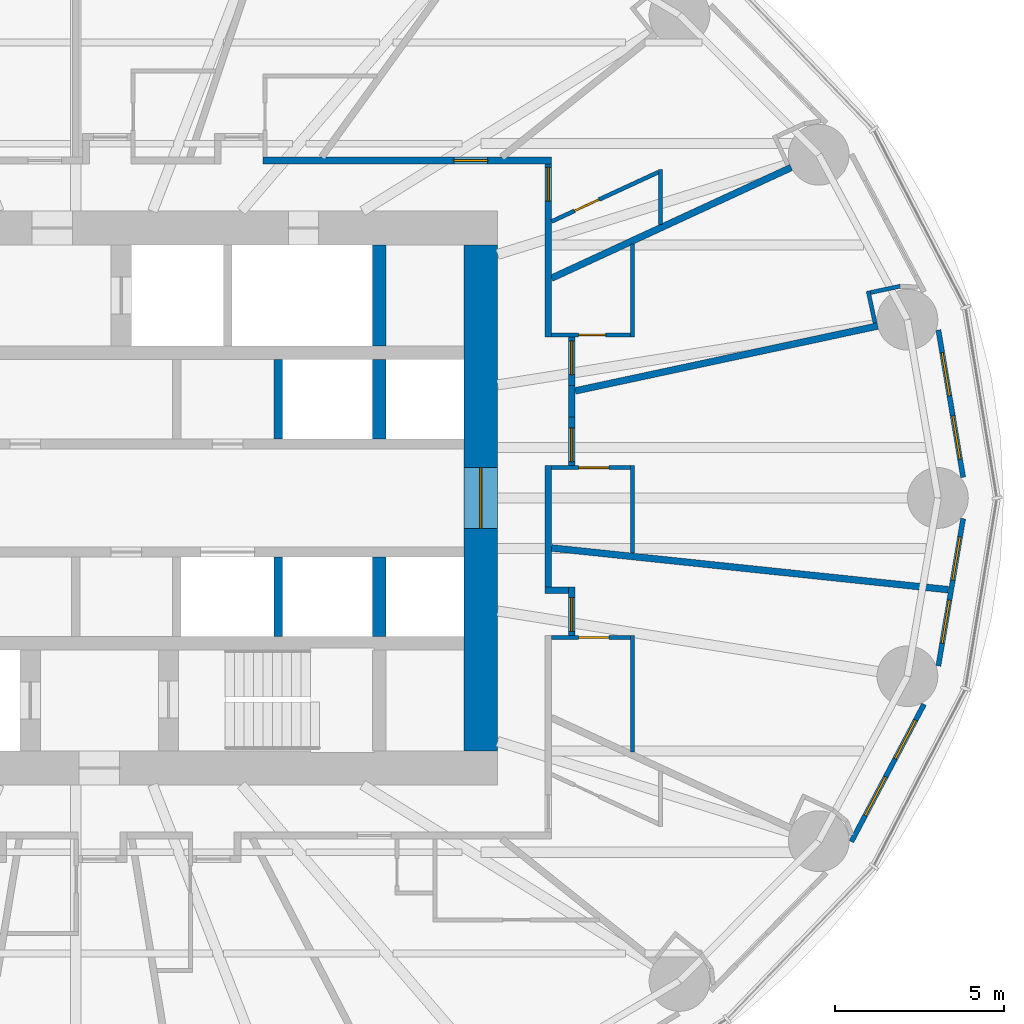
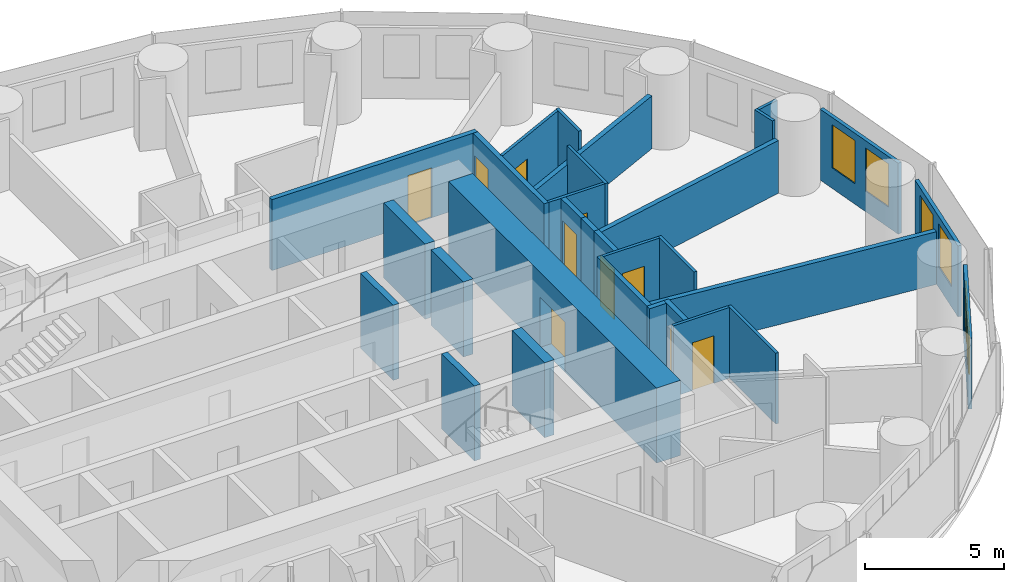
# One storey, part 10 of 14: 30 walls, 10 doors, 6 windows, 16 openings.
"""IFC4 building model written with IfcOpenShell, lengths in metres."""

from ifc_helpers import new_model, si_unit, direction, frame, frame_2d, origin, place, context, subcontext, project, spatial, rectangle, extrude, material, layer, layer_set, type_object, element, fill, save


model = new_model("IFC4")

# Units and contexts
model_context = context("Model", 3, precision=1e-05, world=origin(), true_north=direction((0.0, 1.0)))
body_context = subcontext(model_context, "Body", "Model", "MODEL_VIEW")
ifc_project = project(units=[si_unit("LENGTHUNIT", "METRE"), si_unit("AREAUNIT", "SQUARE_METRE"), si_unit("VOLUMEUNIT", "CUBIC_METRE"), si_unit("PLANEANGLEUNIT", "RADIAN"), si_unit("MASSUNIT", "GRAM", prefix="KILO")], contexts=[model_context])

# Site, building, storey
site_placement = place(None, origin())
site = spatial("IfcSite", under=ifc_project, at=site_placement, CompositionType="ELEMENT")
building_placement = place(site_placement, origin())
building = spatial("IfcBuilding", under=site, at=building_placement, Name="Hankou Lantern Tower", CompositionType="ELEMENT")
storey_placement = place(building_placement, frame((0.0, 0.0, 29.39990234375)))
storey = spatial("IfcBuildingStorey", under=building, at=storey_placement, Name="L05", CompositionType="ELEMENT", Elevation=29.39990234375)

# Wall, opening, door
ifc_material_1 = material(Name="Concrete C60", Category="concrete")
ifc_layer_1 = layer(ifc_material_1, 1.0)
ifc_layer_set_1 = layer_set([ifc_layer_1], Name="Concrete C60")
wall_type_1 = type_object("IfcWallType", Name="CW1 CORE WALL 1000", PredefinedType="SHEAR", material=ifc_layer_set_1)
wall_1_placement = place(storey_placement, frame((12.0, -7.5, 0.0), z_axis=(0.0, 0.0, 1.0), x_axis=(0.0, 1.0, 0.0)))
wall_1 = element("IfcWall", 1, at=wall_1_placement, inside=storey, type_object=wall_type_1, Name="Core wall east L05", PredefinedType="SHEAR", context=body_context, shape_type="SweptSolid", body=[
    extrude(rectangle(XDim=15.0, YDim=1.0, at=frame_2d((7.5, 0.0))), origin(), (0.0, 0.0, 1.0), 3.300048828125),
])
opening_1_placement = place(wall_1_placement, frame((6.60009765625, 0.0, 0.0)))
opening_1 = element("IfcOpeningElement", 2, at=opening_1_placement, cuts=wall_1, Name="Opening D6", PredefinedType="OPENING", context=body_context, shape_type="SweptSolid", body=[
    extrude(rectangle(XDim=1.800048828125, YDim=2.199951171875, at=frame_2d((0.89990234375, 1.10009765625))), frame((0.0, 0.510009765625, 0.0), z_axis=(0.0, -1.0, 0.0), x_axis=(1.0, 0.0, 0.0)), (0.0, 0.0, 1.0), 1.02001953125),
])
ifc_material_2 = material(Name="Steel door leaf", Category="steel")
door_type_1 = type_object("IfcDoorType", Name="D6 LIFT LOBBY DOOR 1800X2200", OperationType="DOUBLE_DOOR_DOUBLE_SWING", PredefinedType="DOOR", material=ifc_material_2)
door_1_placement = place(opening_1_placement, origin())
door_1 = element("IfcDoor", 3, at=door_1_placement, inside=storey, type_object=door_type_1, Name="Lift lobby east door", OperationType="DOUBLE_DOOR_DOUBLE_SWING", OverallHeight=2.199951171875, OverallWidth=1.800048828125, PredefinedType="DOOR", context=body_context, shape_type="SweptSolid", body=[
    extrude(rectangle(XDim=1.800048828125, YDim=2.199951171875, at=frame_2d((0.89990234375, 1.10009765625))), frame((0.0, 0.02490234375, 0.0), z_axis=(0.0, -1.0, 0.0), x_axis=(1.0, 0.0, 0.0)), (0.0, 0.0, 1.0), 0.050048828125),
])
fill(opening_1, door_1)

# Walls
ifc_material_3 = material(Name="Concrete C60", Category="concrete")
ifc_layer_2 = layer(ifc_material_3, 0.39990234375)
ifc_layer_set_2 = layer_set([ifc_layer_2], Name="Concrete C60")
wall_type_2 = type_object("IfcWallType", Name="CW4 CORE CROSS WALL 400", PredefinedType="SHEAR", material=ifc_layer_set_2)
wall_2_placement = place(storey_placement, frame((9.0, 4.5, 0.0), z_axis=(0.0, 0.0, 1.0), x_axis=(0.0, 1.0, 0.0)))
element("IfcWall", 4, at=wall_2_placement, inside=storey, type_object=wall_type_2, Name="Core strip wall L05", PredefinedType="SHEAR", context=body_context, shape_type="SweptSolid", body=[
    extrude(rectangle(XDim=3.0, YDim=0.39990234375, at=frame_2d((1.5, 0.0))), origin(), (0.0, 0.0, 1.0), 3.300048828125),
])
for number, where, z_axis, x_axis, name in (
    (5, (9.0, 1.75, 0.0), (0.0, 0.0, 1.0), (0.0, 1.0, 0.0), "Core strip wall L05"),
    (6, (9.0, -4.10009765625, 0.0), (0.0, 0.0, 1.0), (0.0, 1.0, 0.0), "Core strip wall L05"),
):
    element("IfcWall", number, at=place(storey_placement, frame(where, z_axis=z_axis, x_axis=x_axis)), inside=storey, type_object=wall_type_2, Name=name, PredefinedType="SHEAR", context=body_context, shape_type="SweptSolid", body=[
        extrude(rectangle(XDim=2.35009765625, YDim=0.39990234375, at=frame_2d((1.175048828125, 0.0))), origin(), (0.0, 0.0, 1.0), 3.300048828125),
    ])

# Wall, openings, windows
ifc_material_4 = material(Name="Aluminium spandrel panel on steel studs", Category="steel")
ifc_layer_3 = layer(ifc_material_4, 0.14990234375)
ifc_layer_set_3 = layer_set([ifc_layer_3], Name="Aluminium spandrel panel on steel studs")
wall_type_3 = type_object("IfcWallType", Name="EW1 INNER SKIN WALL 150", PredefinedType="ELEMENTEDWALL", material=ifc_layer_set_3)
wall_3_placement = place(storey_placement, frame((26.29736328125, 0.611083984375, 0.0), z_axis=(0.0, 0.0, 1.0), x_axis=(-0.165641751141, 0.986185991727, 0.0)))
wall_3 = element("IfcWall", 7, at=wall_3_placement, inside=storey, type_object=wall_type_3, Name="Inner skin R01-R02 L05", PredefinedType="ELEMENTEDWALL", context=body_context, shape_type="SweptSolid", body=[
    extrude(rectangle(XDim=4.427734375, YDim=0.14990234375, at=frame_2d((2.2138671875, 0.0))), origin(), (0.0, 0.0, 1.0), 3.1201171875),
])
opening_2_placement = place(wall_3_placement, frame((0.5498046875, 0.0, 0.89990234375)))
opening_2 = element("IfcOpeningElement", 8, at=opening_2_placement, cuts=wall_3, Name="Opening W9", PredefinedType="OPENING", context=body_context, shape_type="SweptSolid", body=[
    extrude(rectangle(XDim=1.300048828125, YDim=1.89990234375, at=frame_2d((0.64990234375, 0.949951171875))), frame((0.0, 0.0849609375, 0.0), z_axis=(0.0, -1.0, 0.0), x_axis=(1.0, 0.0, 0.0)), (0.0, 0.0, 1.0), 0.169921875),
])
opening_3_placement = place(wall_3_placement, frame((2.44970703125, 0.0, 0.89990234375)))
opening_3 = element("IfcOpeningElement", 9, at=opening_3_placement, cuts=wall_3, Name="Opening W9", PredefinedType="OPENING", context=body_context, shape_type="SweptSolid", body=[
    extrude(rectangle(XDim=1.300048828125, YDim=1.89990234375, at=frame_2d((0.64990234375, 0.949951171875))), frame((0.0, 0.0849609375, 0.0), z_axis=(0.0, -1.0, 0.0), x_axis=(1.0, 0.0, 0.0)), (0.0, 0.0, 1.0), 0.169921875),
])
ifc_material_5 = material(Name="Aluminium framed double glazed window", Category="aluminium")
window_type = type_object("IfcWindowType", Name="W9 GUEST ROOM WINDOW 1300X1900", PartitioningType="DOUBLE_PANEL_VERTICAL", PredefinedType="WINDOW", material=ifc_material_5)
window_1_placement = place(opening_2_placement, origin())
window_1 = element("IfcWindow", 10, at=window_1_placement, inside=storey, type_object=window_type, Name="Window R01.1 L05", OverallHeight=1.89990234375, OverallWidth=1.300048828125, PartitioningType="SINGLE_PANEL", PredefinedType="WINDOW", context=body_context, shape_type="SweptSolid", body=[
    extrude(rectangle(XDim=1.300048828125, YDim=1.89990234375, at=frame_2d((0.64990234375, 0.949951171875))), frame((0.0, 0.030029296875, 0.0), z_axis=(0.0, -1.0, 0.0), x_axis=(1.0, 0.0, 0.0)), (0.0, 0.0, 1.0), 0.06005859375),
])
fill(opening_2, window_1)
window_2_placement = place(opening_3_placement, origin())
window_2 = element("IfcWindow", 11, at=window_2_placement, inside=storey, type_object=window_type, Name="Window R01.2 L05", OverallHeight=1.89990234375, OverallWidth=1.300048828125, PartitioningType="SINGLE_PANEL", PredefinedType="WINDOW", context=body_context, shape_type="SweptSolid", body=[
    extrude(rectangle(XDim=1.300048828125, YDim=1.89990234375, at=frame_2d((0.64990234375, 0.949951171875))), frame((0.0, 0.030029296875, 0.0), z_axis=(0.0, -1.0, 0.0), x_axis=(1.0, 0.0, 0.0)), (0.0, 0.0, 1.0), 0.06005859375),
])
fill(opening_3, window_2)

wall_4_placement = place(storey_placement, frame((22.986083984375, -10.185302734375, 0.0), z_axis=(0.0, 0.0, 1.0), x_axis=(0.467303182954, 0.884097129959, 0.0)))
wall_4 = element("IfcWall", 12, at=wall_4_placement, inside=storey, type_object=wall_type_3, Name="Inner skin R23-R24 L05", PredefinedType="ELEMENTEDWALL", context=body_context, shape_type="SweptSolid", body=[
    extrude(rectangle(XDim=4.6064453125, YDim=0.14990234375, at=frame_2d((2.30322265625, 0.0))), origin(), (0.0, 0.0, 1.0), 3.1201171875),
])
opening_4_placement = place(wall_4_placement, frame((0.874755859375, 0.0, 0.89990234375)))
opening_4 = element("IfcOpeningElement", 13, at=opening_4_placement, cuts=wall_4, Name="Opening W9", PredefinedType="OPENING", context=body_context, shape_type="SweptSolid", body=[
    extrude(rectangle(XDim=1.300048828125, YDim=1.89990234375, at=frame_2d((0.64990234375, 0.949951171875))), frame((0.0, 0.0849609375, 0.0), z_axis=(0.0, -1.0, 0.0), x_axis=(1.0, 0.0, 0.0)), (0.0, 0.0, 1.0), 0.169921875),
])
opening_5_placement = place(wall_4_placement, frame((2.77490234375, 0.0, 0.89990234375)))
opening_5 = element("IfcOpeningElement", 14, at=opening_5_placement, cuts=wall_4, Name="Opening W9", PredefinedType="OPENING", context=body_context, shape_type="SweptSolid", body=[
    extrude(rectangle(XDim=1.300048828125, YDim=1.89990234375, at=frame_2d((0.64990234375, 0.949951171875))), frame((0.0, 0.0849609375, 0.0), z_axis=(0.0, -1.0, 0.0), x_axis=(1.0, 0.0, 0.0)), (0.0, 0.0, 1.0), 0.169921875),
])
window_3_placement = place(opening_4_placement, origin())
window_3 = element("IfcWindow", 15, at=window_3_placement, inside=storey, type_object=window_type, Name="Window R23.1 L05", OverallHeight=1.89990234375, OverallWidth=1.300048828125, PartitioningType="SINGLE_PANEL", PredefinedType="WINDOW", context=body_context, shape_type="SweptSolid", body=[
    extrude(rectangle(XDim=1.300048828125, YDim=1.89990234375, at=frame_2d((0.64990234375, 0.949951171875))), frame((0.0, 0.030029296875, 0.0), z_axis=(0.0, -1.0, 0.0), x_axis=(1.0, 0.0, 0.0)), (0.0, 0.0, 1.0), 0.06005859375),
])
fill(opening_4, window_3)
window_4_placement = place(opening_5_placement, origin())
window_4 = element("IfcWindow", 16, at=window_4_placement, inside=storey, type_object=window_type, Name="Window R23.2 L05", OverallHeight=1.89990234375, OverallWidth=1.300048828125, PartitioningType="SINGLE_PANEL", PredefinedType="WINDOW", context=body_context, shape_type="SweptSolid", body=[
    extrude(rectangle(XDim=1.300048828125, YDim=1.89990234375, at=frame_2d((0.64990234375, 0.949951171875))), frame((0.0, 0.030029296875, 0.0), z_axis=(0.0, -1.0, 0.0), x_axis=(1.0, 0.0, 0.0)), (0.0, 0.0, 1.0), 0.06005859375),
])
fill(opening_5, window_4)

wall_5_placement = place(storey_placement, frame((25.56396484375, -4.9775390625, 0.0), z_axis=(0.0, 0.0, 1.0), x_axis=(0.165641751141, 0.986185991727, 0.0)))
wall_5 = element("IfcWall", 17, at=wall_5_placement, inside=storey, type_object=wall_type_3, Name="Inner skin R24-R01 L05", PredefinedType="ELEMENTEDWALL", context=body_context, shape_type="SweptSolid", body=[
    extrude(rectangle(XDim=4.427734375, YDim=0.14990234375, at=frame_2d((2.2138671875, 0.0))), origin(), (0.0, 0.0, 1.0), 3.1201171875),
])
opening_6_placement = place(wall_5_placement, frame((0.677734375, 0.0, 0.89990234375)))
opening_6 = element("IfcOpeningElement", 18, at=opening_6_placement, cuts=wall_5, Name="Opening W9", PredefinedType="OPENING", context=body_context, shape_type="SweptSolid", body=[
    extrude(rectangle(XDim=1.300048828125, YDim=1.89990234375, at=frame_2d((0.64990234375, 0.949951171875))), frame((0.0, 0.0849609375, 0.0), z_axis=(0.0, -1.0, 0.0), x_axis=(1.0, 0.0, 0.0)), (0.0, 0.0, 1.0), 0.169921875),
])
opening_7_placement = place(wall_5_placement, frame((2.57763671875, 0.0, 0.89990234375)))
opening_7 = element("IfcOpeningElement", 19, at=opening_7_placement, cuts=wall_5, Name="Opening W9", PredefinedType="OPENING", context=body_context, shape_type="SweptSolid", body=[
    extrude(rectangle(XDim=1.300048828125, YDim=1.89990234375, at=frame_2d((0.64990234375, 0.949951171875))), frame((0.0, 0.0849609375, 0.0), z_axis=(0.0, -1.0, 0.0), x_axis=(1.0, 0.0, 0.0)), (0.0, 0.0, 1.0), 0.169921875),
])
window_5_placement = place(opening_6_placement, origin())
window_5 = element("IfcWindow", 20, at=window_5_placement, inside=storey, type_object=window_type, Name="Window R24.1 L05", OverallHeight=1.89990234375, OverallWidth=1.300048828125, PartitioningType="SINGLE_PANEL", PredefinedType="WINDOW", context=body_context, shape_type="SweptSolid", body=[
    extrude(rectangle(XDim=1.300048828125, YDim=1.89990234375, at=frame_2d((0.64990234375, 0.949951171875))), frame((0.0, 0.030029296875, 0.0), z_axis=(0.0, -1.0, 0.0), x_axis=(1.0, 0.0, 0.0)), (0.0, 0.0, 1.0), 0.06005859375),
])
fill(opening_6, window_5)
window_6_placement = place(opening_7_placement, origin())
window_6 = element("IfcWindow", 21, at=window_6_placement, inside=storey, type_object=window_type, Name="Window R24.2 L05", OverallHeight=1.89990234375, OverallWidth=1.300048828125, PartitioningType="SINGLE_PANEL", PredefinedType="WINDOW", context=body_context, shape_type="SweptSolid", body=[
    extrude(rectangle(XDim=1.300048828125, YDim=1.89990234375, at=frame_2d((0.64990234375, 0.949951171875))), frame((0.0, 0.030029296875, 0.0), z_axis=(0.0, -1.0, 0.0), x_axis=(1.0, 0.0, 0.0)), (0.0, 0.0, 1.0), 0.06005859375),
])
fill(opening_7, window_6)

# Walls
ifc_material_6 = material(Name="Masonry lightweight concrete block", Category="masonry")
ifc_layer_4 = layer(ifc_material_6, 0.199951171875)
ifc_layer_set_4 = layer_set([ifc_layer_4], Name="Masonry lightweight concrete block")
wall_type_4 = type_object("IfcWallType", Name="IW1 GUEST ROOM PARTY WALL 200", PredefinedType="PARTITIONING", material=ifc_layer_set_4)
wall_6_placement = place(storey_placement, frame((14.800048828125, 3.172607421875, 0.0), z_axis=(0.0, 0.0, 1.0), x_axis=(0.977788776497, 0.209592720667, 0.0)))
element("IfcWall", 22, at=wall_6_placement, inside=storey, type_object=wall_type_4, Name="Party wall R02", PredefinedType="PARTITIONING", context=body_context, shape_type="SweptSolid", body=[
    extrude(rectangle(XDim=9.170654296875, YDim=0.199951171875, at=frame_2d((4.58544921875, 0.0))), origin(), (0.0, 0.0, 1.0), 2.320068359375),
])
wall_7_placement = place(storey_placement, frame((14.10009765625, 6.512451171875, 0.0), z_axis=(0.0, 0.0, 1.0), x_axis=(0.907842433118, 0.41931147925, 0.0)))
element("IfcWall", 23, at=wall_7_placement, inside=storey, type_object=wall_type_4, Name="Party wall R03", PredefinedType="PARTITIONING", context=body_context, shape_type="SweptSolid", body=[
    extrude(rectangle(XDim=7.822998046875, YDim=0.199951171875, at=frame_2d((3.91162109375, 0.0))), origin(), (0.0, 0.0, 1.0), 2.320068359375),
])
wall_8_placement = place(storey_placement, frame((14.10009765625, -1.48193359375, 0.0), z_axis=(0.0, 0.0, 1.0), x_axis=(0.994522076235, -0.104526742422, 0.0)))
element("IfcWall", 24, at=wall_8_placement, inside=storey, type_object=wall_type_4, Name="Party wall R24-R01", PredefinedType="PARTITIONING", context=body_context, shape_type="SweptSolid", body=[
    extrude(rectangle(XDim=11.82080078125, YDim=0.199951171875, at=frame_2d((5.910400390625, 0.0))), origin(), (0.0, 0.0, 1.0), 2.320068359375),
])

# Wall, opening, door
ifc_material_7 = material(Name="Masonry lightweight concrete block", Category="masonry")
ifc_layer_5 = layer(ifc_material_7, 0.199951171875)
ifc_layer_set_5 = layer_set([ifc_layer_5], Name="Masonry lightweight concrete block")
wall_type_5 = type_object("IfcWallType", Name="IW2 CORRIDOR WALL 200", PredefinedType="PARTITIONING", material=ifc_layer_set_5)
wall_9_placement = place(storey_placement, frame((14.699951171875, -4.072509765625, 0.0), z_axis=(0.0, 0.0, 1.0), x_axis=(0.0, 1.0, 0.0)))
wall_9 = element("IfcWall", 25, at=wall_9_placement, inside=storey, type_object=wall_type_5, Name="Corridor recess wall 0502 back", PredefinedType="PARTITIONING", context=body_context, shape_type="SweptSolid", body=[
    extrude(rectangle(XDim=1.43994140625, YDim=0.199951171875, at=frame_2d((0.719970703125, 0.0))), origin(), (0.0, 0.0, 1.0), 3.1201171875),
])
opening_8_placement = place(wall_9_placement, frame((0.1201171875, 0.0, 0.0)))
opening_8 = element("IfcOpeningElement", 26, at=opening_8_placement, cuts=wall_9, Name="Opening D1", PredefinedType="OPENING", context=body_context, shape_type="SweptSolid", body=[
    extrude(rectangle(XDim=1.0, YDim=2.199951171875, at=frame_2d((0.5, 1.10009765625))), frame((0.0, 0.10986328125, 0.0), z_axis=(0.0, -1.0, 0.0), x_axis=(1.0, 0.0, 0.0)), (0.0, 0.0, 1.0), 0.219970703125),
])
ifc_material_8 = material(Name="Steel door leaf", Category="steel")
door_type_2 = type_object("IfcDoorType", Name="D1 GUEST ROOM DOOR 1000X2200", OperationType="SINGLE_SWING_LEFT", PredefinedType="DOOR", material=ifc_material_8)
door_2_placement = place(opening_8_placement, origin())
door_2 = element("IfcDoor", 27, at=door_2_placement, inside=storey, type_object=door_type_2, Name="Guest room door 0502", OperationType="SINGLE_SWING_LEFT", OverallHeight=2.199951171875, OverallWidth=1.0, PredefinedType="DOOR", context=body_context, shape_type="SweptSolid", body=[
    extrude(rectangle(XDim=1.0, YDim=2.199951171875, at=frame_2d((0.5, 1.10009765625))), frame((0.0, 0.02490234375, 0.0), z_axis=(0.0, -1.0, 0.0), x_axis=(1.0, 0.0, 0.0)), (0.0, 0.0, 1.0), 0.050048828125),
])
fill(opening_8, door_2)

# Wall
wall_10_placement = place(storey_placement, frame((13.89990234375, -2.732421875, 0.0), z_axis=(0.0, 0.0, 1.0), x_axis=(1.0, 0.0, 0.0)))
element("IfcWall", 28, at=wall_10_placement, inside=storey, type_object=wall_type_5, Name="Corridor recess wall 0502 side", PredefinedType="PARTITIONING", context=body_context, shape_type="SweptSolid", body=[
    extrude(rectangle(XDim=0.7001953125, YDim=0.199951171875, at=frame_2d((0.35009765625, 0.0))), origin(), (0.0, 0.0, 1.0), 3.1201171875),
])

# Wall, opening, door
wall_11_placement = place(storey_placement, frame((14.699951171875, 0.9580078125, 0.0), z_axis=(0.0, 0.0, 1.0), x_axis=(0.0, 1.0, 0.0)))
wall_11 = element("IfcWall", 29, at=wall_11_placement, inside=storey, type_object=wall_type_5, Name="Corridor recess wall 0503 back", PredefinedType="PARTITIONING", context=body_context, shape_type="SweptSolid", body=[
    extrude(rectangle(XDim=1.43994140625, YDim=0.199951171875, at=frame_2d((0.719970703125, 0.0))), origin(), (0.0, 0.0, 1.0), 3.1201171875),
])
opening_9_placement = place(wall_11_placement, frame((0.1201171875, 0.0, 0.0)))
opening_9 = element("IfcOpeningElement", 30, at=opening_9_placement, cuts=wall_11, Name="Opening D1", PredefinedType="OPENING", context=body_context, shape_type="SweptSolid", body=[
    extrude(rectangle(XDim=1.0, YDim=2.199951171875, at=frame_2d((0.5, 1.10009765625))), frame((0.0, 0.10986328125, 0.0), z_axis=(0.0, -1.0, 0.0), x_axis=(1.0, 0.0, 0.0)), (0.0, 0.0, 1.0), 0.219970703125),
])
door_3_placement = place(opening_9_placement, origin())
door_3 = element("IfcDoor", 31, at=door_3_placement, inside=storey, type_object=door_type_2, Name="Guest room door 0503", OperationType="SINGLE_SWING_LEFT", OverallHeight=2.199951171875, OverallWidth=1.0, PredefinedType="DOOR", context=body_context, shape_type="SweptSolid", body=[
    extrude(rectangle(XDim=1.0, YDim=2.199951171875, at=frame_2d((0.5, 1.10009765625))), frame((0.0, 0.02490234375, 0.0), z_axis=(0.0, -1.0, 0.0), x_axis=(1.0, 0.0, 0.0)), (0.0, 0.0, 1.0), 0.050048828125),
])
fill(opening_9, door_3)

wall_12_placement = place(storey_placement, frame((14.699951171875, 3.33251953125, 0.0), z_axis=(0.0, 0.0, 1.0), x_axis=(0.0, 1.0, 0.0)))
wall_12 = element("IfcWall", 32, at=wall_12_placement, inside=storey, type_object=wall_type_5, Name="Corridor recess wall 0504 back", PredefinedType="PARTITIONING", context=body_context, shape_type="SweptSolid", body=[
    extrude(rectangle(XDim=1.43994140625, YDim=0.199951171875, at=frame_2d((0.719970703125, 0.0))), origin(), (0.0, 0.0, 1.0), 3.1201171875),
])
opening_10_placement = place(wall_12_placement, frame((0.320068359375, 0.0, 0.0)))
opening_10 = element("IfcOpeningElement", 33, at=opening_10_placement, cuts=wall_12, Name="Opening D1", PredefinedType="OPENING", context=body_context, shape_type="SweptSolid", body=[
    extrude(rectangle(XDim=1.0, YDim=2.199951171875, at=frame_2d((0.5, 1.10009765625))), frame((0.0, 0.10986328125, 0.0), z_axis=(0.0, -1.0, 0.0), x_axis=(1.0, 0.0, 0.0)), (0.0, 0.0, 1.0), 0.219970703125),
])
door_4_placement = place(opening_10_placement, origin())
door_4 = element("IfcDoor", 34, at=door_4_placement, inside=storey, type_object=door_type_2, Name="Guest room door 0504", OperationType="SINGLE_SWING_RIGHT", OverallHeight=2.199951171875, OverallWidth=1.0, PredefinedType="DOOR", context=body_context, shape_type="SweptSolid", body=[
    extrude(rectangle(XDim=1.0, YDim=2.199951171875, at=frame_2d((0.5, 1.10009765625))), frame((0.0, 0.02490234375, 0.0), z_axis=(0.0, -1.0, 0.0), x_axis=(1.0, 0.0, 0.0)), (0.0, 0.0, 1.0), 0.050048828125),
])
fill(opening_10, door_4)

# Walls
wall_13_placement = place(storey_placement, frame((14.699951171875, 2.39794921875, 0.0), z_axis=(0.0, 0.0, 1.0), x_axis=(0.0, 1.0, 0.0)))
element("IfcWall", 35, at=wall_13_placement, inside=storey, type_object=wall_type_5, Name="Corridor recess wall 0503 and 0504 back", PredefinedType="PARTITIONING", context=body_context, shape_type="SweptSolid", body=[
    extrude(rectangle(XDim=0.9345703125, YDim=0.199951171875, at=frame_2d((0.46728515625, 0.0))), origin(), (0.0, 0.0, 1.0), 3.1201171875),
])
wall_14_placement = place(storey_placement, frame((14.0, -2.632568359375, 0.0), z_axis=(0.0, 0.0, 1.0), x_axis=(0.0, 1.0, 0.0)))
element("IfcWall", 36, at=wall_14_placement, inside=storey, type_object=wall_type_5, Name="Corridor wall east", PredefinedType="PARTITIONING", context=body_context, shape_type="SweptSolid", body=[
    extrude(rectangle(XDim=3.590576171875, YDim=0.199951171875, at=frame_2d((1.79541015625, 0.0))), origin(), (0.0, 0.0, 1.0), 3.1201171875),
])

# Wall, opening, door
wall_15_placement = place(storey_placement, frame((14.0, 4.7724609375, 0.0), z_axis=(0.0, 0.0, 1.0), x_axis=(0.0, 1.0, 0.0)))
wall_15 = element("IfcWall", 37, at=wall_15_placement, inside=storey, type_object=wall_type_5, Name="Corridor wall east", PredefinedType="PARTITIONING", context=body_context, shape_type="SweptSolid", body=[
    extrude(rectangle(XDim=5.12744140625, YDim=0.199951171875, at=frame_2d((2.563720703125, 0.0))), origin(), (0.0, 0.0, 1.0), 3.1201171875),
])
opening_11_placement = place(wall_15_placement, frame((4.02490234375, 0.0, 0.0)))
opening_11 = element("IfcOpeningElement", 38, at=opening_11_placement, cuts=wall_15, Name="Opening D1", PredefinedType="OPENING", context=body_context, shape_type="SweptSolid", body=[
    extrude(rectangle(XDim=1.0, YDim=2.199951171875, at=frame_2d((0.5, 1.10009765625))), frame((0.0, 0.10986328125, 0.0), z_axis=(0.0, -1.0, 0.0), x_axis=(1.0, 0.0, 0.0)), (0.0, 0.0, 1.0), 0.219970703125),
])
door_5_placement = place(opening_11_placement, origin())
door_5 = element("IfcDoor", 39, at=door_5_placement, inside=storey, type_object=door_type_2, Name="Guest room door 0505", OperationType="SINGLE_SWING_RIGHT", OverallHeight=2.199951171875, OverallWidth=1.0, PredefinedType="DOOR", context=body_context, shape_type="SweptSolid", body=[
    extrude(rectangle(XDim=1.0, YDim=2.199951171875, at=frame_2d((0.5, 1.10009765625))), frame((0.0, 0.02490234375, 0.0), z_axis=(0.0, -1.0, 0.0), x_axis=(1.0, 0.0, 0.0)), (0.0, 0.0, 1.0), 0.050048828125),
])
fill(opening_11, door_5)

wall_16_placement = place(storey_placement, frame((5.549072265625, 10.0, 0.0), z_axis=(0.0, 0.0, 1.0), x_axis=(1.0, 0.0, 0.0)))
wall_16 = element("IfcWall", 40, at=wall_16_placement, inside=storey, type_object=wall_type_5, Name="Corridor wall north", PredefinedType="PARTITIONING", context=body_context, shape_type="SweptSolid", body=[
    extrude(rectangle(XDim=8.551025390625, YDim=0.199951171875, at=frame_2d((4.275390625, 0.0))), origin(), (0.0, 0.0, 1.0), 3.1201171875),
])
opening_12_placement = place(wall_16_placement, frame((5.656005859375, 0.0, 0.0)))
opening_12 = element("IfcOpeningElement", 41, at=opening_12_placement, cuts=wall_16, Name="Opening D28", PredefinedType="OPENING", context=body_context, shape_type="SweptSolid", body=[
    extrude(rectangle(XDim=1.0, YDim=2.199951171875, at=frame_2d((0.5, 1.10009765625))), frame((0.0, 0.10986328125, 0.0), z_axis=(0.0, -1.0, 0.0), x_axis=(1.0, 0.0, 0.0)), (0.0, 0.0, 1.0), 0.219970703125),
])
ifc_material_9 = material(Name="Steel door leaf", Category="steel")
door_type_3 = type_object("IfcDoorType", Name="D28 SERVICE DOOR 1000X2200", OperationType="SINGLE_SWING_LEFT", PredefinedType="DOOR", material=ifc_material_9)
door_6_placement = place(opening_12_placement, origin())
door_6 = element("IfcDoor", 42, at=door_6_placement, inside=storey, type_object=door_type_3, Name="Service door 0506", OperationType="SINGLE_SWING_LEFT", OverallHeight=2.199951171875, OverallWidth=1.0, PredefinedType="DOOR", context=body_context, shape_type="SweptSolid", body=[
    extrude(rectangle(XDim=1.0, YDim=2.199951171875, at=frame_2d((0.5, 1.10009765625))), frame((0.0, 0.02490234375, 0.0), z_axis=(0.0, -1.0, 0.0), x_axis=(1.0, 0.0, 0.0)), (0.0, 0.0, 1.0), 0.050048828125),
])
fill(opening_12, door_6)

# Wall
ifc_material_10 = material(Name="Masonry lightweight concrete block", Category="masonry")
ifc_layer_6 = layer(ifc_material_10, 0.1201171875)
ifc_layer_set_6 = layer_set([ifc_layer_6], Name="Masonry lightweight concrete block")
wall_type_6 = type_object("IfcWallType", Name="IW3 BATHROOM WALL 120", PredefinedType="PARTITIONING", material=ifc_layer_set_6)
wall_17_placement = place(storey_placement, frame((16.5, -7.52099609375, 0.0), z_axis=(0.0, 0.0, 1.0), x_axis=(0.0, 1.0, 0.0)))
element("IfcWall", 43, at=wall_17_placement, inside=storey, type_object=wall_type_6, Name="Box wall 0502 1", PredefinedType="PARTITIONING", context=body_context, shape_type="SweptSolid", body=[
    extrude(rectangle(XDim=3.448486328125, YDim=0.1201171875, at=frame_2d((1.72412109375, 0.0))), origin(), (0.0, 0.0, 1.0), 3.1201171875),
])

# Wall, opening, door
wall_18_placement = place(storey_placement, frame((14.10009765625, -4.132568359375, 0.0), z_axis=(0.0, 0.0, 1.0), x_axis=(1.0, 0.0, 0.0)))
wall_18 = element("IfcWall", 44, at=wall_18_placement, inside=storey, type_object=wall_type_6, Name="Box wall 0502 1", PredefinedType="PARTITIONING", context=body_context, shape_type="SweptSolid", body=[
    extrude(rectangle(XDim=2.33984375, YDim=0.1201171875, at=frame_2d((1.169921875, 0.0))), origin(), (0.0, 0.0, 1.0), 3.1201171875),
])
opening_13_placement = place(wall_18_placement, frame((0.800048828125, 0.0, 0.0)))
opening_13 = element("IfcOpeningElement", 45, at=opening_13_placement, cuts=wall_18, Name="Opening D26", PredefinedType="OPENING", context=body_context, shape_type="SweptSolid", body=[
    extrude(rectangle(XDim=0.89990234375, YDim=2.10009765625, at=frame_2d((0.449951171875, 1.050048828125))), frame((0.0, 0.070068359375, 0.0), z_axis=(0.0, -1.0, 0.0), x_axis=(1.0, 0.0, 0.0)), (0.0, 0.0, 1.0), 0.14013671875),
])
ifc_material_11 = material(Name="Timber door leaf", Category="wood")
door_type_4 = type_object("IfcDoorType", Name="D26 ACCESSIBLE BATHROOM DOOR 900X2100", OperationType="SLIDING_TO_LEFT", PredefinedType="DOOR", material=ifc_material_11)
door_7_placement = place(opening_13_placement, origin())
door_7 = element("IfcDoor", 46, at=door_7_placement, inside=storey, type_object=door_type_4, Name="Accessible bathroom 0502 door", OperationType="SLIDING_TO_LEFT", OverallHeight=2.10009765625, OverallWidth=0.89990234375, PredefinedType="DOOR", context=body_context, shape_type="SweptSolid", body=[
    extrude(rectangle(XDim=0.89990234375, YDim=2.10009765625, at=frame_2d((0.449951171875, 1.050048828125))), frame((0.0, 0.02490234375, 0.0), z_axis=(0.0, -1.0, 0.0), x_axis=(1.0, 0.0, 0.0)), (0.0, 0.0, 1.0), 0.050048828125),
])
fill(opening_13, door_7)

# Wall
wall_19_placement = place(storey_placement, frame((16.5, -1.63427734375, 0.0), z_axis=(0.0, 0.0, 1.0), x_axis=(0.0, 1.0, 0.0)))
element("IfcWall", 47, at=wall_19_placement, inside=storey, type_object=wall_type_6, Name="Box wall 0503 1", PredefinedType="PARTITIONING", context=body_context, shape_type="SweptSolid", body=[
    extrude(rectangle(XDim=2.59228515625, YDim=0.1201171875, at=frame_2d((1.296142578125, 0.0))), origin(), (0.0, 0.0, 1.0), 3.1201171875),
])

# Wall, opening, door
wall_20_placement = place(storey_placement, frame((14.10009765625, 0.89794921875, 0.0), z_axis=(0.0, 0.0, 1.0), x_axis=(1.0, 0.0, 0.0)))
wall_20 = element("IfcWall", 48, at=wall_20_placement, inside=storey, type_object=wall_type_6, Name="Box wall 0503 1", PredefinedType="PARTITIONING", context=body_context, shape_type="SweptSolid", body=[
    extrude(rectangle(XDim=2.33984375, YDim=0.1201171875, at=frame_2d((1.169921875, 0.0))), origin(), (0.0, 0.0, 1.0), 3.1201171875),
])
opening_14_placement = place(wall_20_placement, frame((0.800048828125, 0.0, 0.0)))
opening_14 = element("IfcOpeningElement", 49, at=opening_14_placement, cuts=wall_20, Name="Opening D26", PredefinedType="OPENING", context=body_context, shape_type="SweptSolid", body=[
    extrude(rectangle(XDim=0.89990234375, YDim=2.10009765625, at=frame_2d((0.449951171875, 1.050048828125))), frame((0.0, 0.070068359375, 0.0), z_axis=(0.0, -1.0, 0.0), x_axis=(1.0, 0.0, 0.0)), (0.0, 0.0, 1.0), 0.14013671875),
])
door_8_placement = place(opening_14_placement, origin())
door_8 = element("IfcDoor", 50, at=door_8_placement, inside=storey, type_object=door_type_4, Name="Accessible bathroom 0503 door", OperationType="SLIDING_TO_LEFT", OverallHeight=2.10009765625, OverallWidth=0.89990234375, PredefinedType="DOOR", context=body_context, shape_type="SweptSolid", body=[
    extrude(rectangle(XDim=0.89990234375, YDim=2.10009765625, at=frame_2d((0.449951171875, 1.050048828125))), frame((0.0, 0.02490234375, 0.0), z_axis=(0.0, -1.0, 0.0), x_axis=(1.0, 0.0, 0.0)), (0.0, 0.0, 1.0), 0.050048828125),
])
fill(opening_14, door_8)

# Wall
wall_21_placement = place(storey_placement, frame((16.5, 7.52099609375, 0.0), z_axis=(0.0, 0.0, 1.0), x_axis=(0.0, -1.0, 0.0)))
element("IfcWall", 51, at=wall_21_placement, inside=storey, type_object=wall_type_6, Name="Box wall 0504 1", PredefinedType="PARTITIONING", context=body_context, shape_type="SweptSolid", body=[
    extrude(rectangle(XDim=2.74853515625, YDim=0.1201171875, at=frame_2d((1.374267578125, 0.0))), origin(), (0.0, 0.0, 1.0), 3.1201171875),
])

# Wall, opening, door
wall_22_placement = place(storey_placement, frame((14.10009765625, 4.83251953125, 0.0), z_axis=(0.0, 0.0, 1.0), x_axis=(1.0, 0.0, 0.0)))
wall_22 = element("IfcWall", 52, at=wall_22_placement, inside=storey, type_object=wall_type_6, Name="Box wall 0504 1", PredefinedType="PARTITIONING", context=body_context, shape_type="SweptSolid", body=[
    extrude(rectangle(XDim=2.33984375, YDim=0.1201171875, at=frame_2d((1.169921875, 0.0))), origin(), (0.0, 0.0, 1.0), 3.1201171875),
])
opening_15_placement = place(wall_22_placement, frame((0.800048828125, 0.0, 0.0)))
opening_15 = element("IfcOpeningElement", 53, at=opening_15_placement, cuts=wall_22, Name="Opening D3", PredefinedType="OPENING", context=body_context, shape_type="SweptSolid", body=[
    extrude(rectangle(XDim=0.800048828125, YDim=2.10009765625, at=frame_2d((0.39990234375, 1.050048828125))), frame((0.0, 0.070068359375, 0.0), z_axis=(0.0, -1.0, 0.0), x_axis=(1.0, 0.0, 0.0)), (0.0, 0.0, 1.0), 0.14013671875),
])
ifc_material_12 = material(Name="Timber door leaf", Category="wood")
door_type_5 = type_object("IfcDoorType", Name="D3 BATHROOM DOOR 800X2100", OperationType="SINGLE_SWING_LEFT", PredefinedType="DOOR", material=ifc_material_12)
door_9_placement = place(opening_15_placement, origin())
door_9 = element("IfcDoor", 54, at=door_9_placement, inside=storey, type_object=door_type_5, Name="En-suite bathroom 0504 door", OperationType="SINGLE_SWING_RIGHT", OverallHeight=2.10009765625, OverallWidth=0.800048828125, PredefinedType="DOOR", context=body_context, shape_type="SweptSolid", body=[
    extrude(rectangle(XDim=0.800048828125, YDim=2.10009765625, at=frame_2d((0.39990234375, 1.050048828125))), frame((0.0, 0.02490234375, 0.0), z_axis=(0.0, -1.0, 0.0), x_axis=(1.0, 0.0, 0.0)), (0.0, 0.0, 1.0), 0.050048828125),
])
fill(opening_15, door_9)

# Wall
wall_23_placement = place(storey_placement, frame((17.32275390625, 8.10107421875, 0.0), z_axis=(0.0, 0.0, 1.0), x_axis=(0.0, 1.0, 0.0)))
element("IfcWall", 55, at=wall_23_placement, inside=storey, type_object=wall_type_6, Name="Box wall 0505 1", PredefinedType="PARTITIONING", context=body_context, shape_type="SweptSolid", body=[
    extrude(rectangle(XDim=1.639892578125, YDim=0.1201171875, at=frame_2d((0.81982421875, 0.0))), origin(), (0.0, 0.0, 1.0), 3.1201171875),
])

# Wall, opening, door
wall_24_placement = place(storey_placement, frame((14.10009765625, 8.192626953125, 0.0), z_axis=(0.0, 0.0, 1.0), x_axis=(0.907836493557, 0.419324338628, 0.0)))
wall_24 = element("IfcWall", 56, at=wall_24_placement, inside=storey, type_object=wall_type_6, Name="Box wall 0505 1", PredefinedType="PARTITIONING", context=body_context, shape_type="SweptSolid", body=[
    extrude(rectangle(XDim=3.48974609375, YDim=0.1201171875, at=frame_2d((1.744873046875, 0.0))), origin(), (0.0, 0.0, 1.0), 3.1201171875),
])
opening_16_placement = place(wall_24_placement, frame((0.75, 0.0, 0.0)))
opening_16 = element("IfcOpeningElement", 57, at=opening_16_placement, cuts=wall_24, Name="Opening D3", PredefinedType="OPENING", context=body_context, shape_type="SweptSolid", body=[
    extrude(rectangle(XDim=0.800048828125, YDim=2.10009765625, at=frame_2d((0.39990234375, 1.050048828125))), frame((0.0, 0.070068359375, 0.0), z_axis=(0.0, -1.0, 0.0), x_axis=(1.0, 0.0, 0.0)), (0.0, 0.0, 1.0), 0.14013671875),
])
door_10_placement = place(opening_16_placement, origin())
door_10 = element("IfcDoor", 58, at=door_10_placement, inside=storey, type_object=door_type_5, Name="En-suite bathroom 0505 door", OperationType="SINGLE_SWING_LEFT", OverallHeight=2.10009765625, OverallWidth=0.800048828125, PredefinedType="DOOR", context=body_context, shape_type="SweptSolid", body=[
    extrude(rectangle(XDim=0.800048828125, YDim=2.10009765625, at=frame_2d((0.39990234375, 1.050048828125))), frame((0.0, 0.02490234375, 0.0), z_axis=(0.0, -1.0, 0.0), x_axis=(1.0, 0.0, 0.0)), (0.0, 0.0, 1.0), 0.050048828125),
])
fill(opening_16, door_10)

# Walls
ifc_material_13 = material(Name="Masonry lightweight concrete block", Category="masonry")
ifc_layer_7 = layer(ifc_material_13, 0.1201171875)
ifc_layer_set_7 = layer_set([ifc_layer_7], Name="Masonry lightweight concrete block")
wall_type_7 = type_object("IfcWallType", Name="IW4 PARTITION 120", PredefinedType="PARTITIONING", material=ifc_layer_set_7)
wall_25_placement = place(storey_placement, frame((23.687255859375, 5.179931640625, 0.0), z_axis=(0.0, 0.0, 1.0), x_axis=(-0.209443540911, 0.977820741839, 0.0)))
element("IfcWall", 59, at=wall_25_placement, inside=storey, type_object=wall_type_7, Name="Column casing R02 return", PredefinedType="PARTITIONING", context=body_context, shape_type="SweptSolid", body=[
    extrude(rectangle(XDim=0.974609375, YDim=0.1201171875, at=frame_2d((0.4873046875, 0.0))), origin(), (0.0, 0.0, 1.0), 3.1201171875),
])
wall_26_placement = place(storey_placement, frame((23.554443359375, 6.086669921875, 0.0), z_axis=(0.0, 0.0, 1.0), x_axis=(0.977762694187, 0.209714362543, 0.0)))
element("IfcWall", 60, at=wall_26_placement, inside=storey, type_object=wall_type_7, Name="Column casing R02", PredefinedType="PARTITIONING", context=body_context, shape_type="SweptSolid", body=[
    extrude(rectangle(XDim=0.89990234375, YDim=0.1201171875, at=frame_2d((0.449951171875, 0.0))), origin(), (0.0, 0.0, 1.0), 3.1201171875),
])
ifc_material_14 = material(Name="Masonry autoclaved aerated concrete block", Category="masonry")
ifc_layer_8 = layer(ifc_material_14, 0.25)
ifc_layer_set_8 = layer_set([ifc_layer_8], Name="Masonry autoclaved aerated concrete block")
wall_type_8 = type_object("IfcWallType", Name="SW1 SHAFT BLOCK WALL 250", PredefinedType="PARTITIONING", material=ifc_layer_set_8)
for number, where, z_axis, x_axis, name in (
    (61, (6.0, 1.75, 0.0), (0.0, 0.0, 1.0), (0.0, 1.0, 0.0), "Lift shaft wall L05"),
    (62, (6.0, -4.10009765625, 0.0), (0.0, 0.0, 1.0), (0.0, 1.0, 0.0), "Lift shaft wall L05"),
):
    element("IfcWall", number, at=place(storey_placement, frame(where, z_axis=z_axis, x_axis=x_axis)), inside=storey, type_object=wall_type_8, Name=name, PredefinedType="PARTITIONING", context=body_context, shape_type="SweptSolid", body=[
        extrude(rectangle(XDim=2.35009765625, YDim=0.25, at=frame_2d((1.175048828125, 0.0))), origin(), (0.0, 0.0, 1.0), 3.300048828125),
    ])

save(model, "model.ifc")
